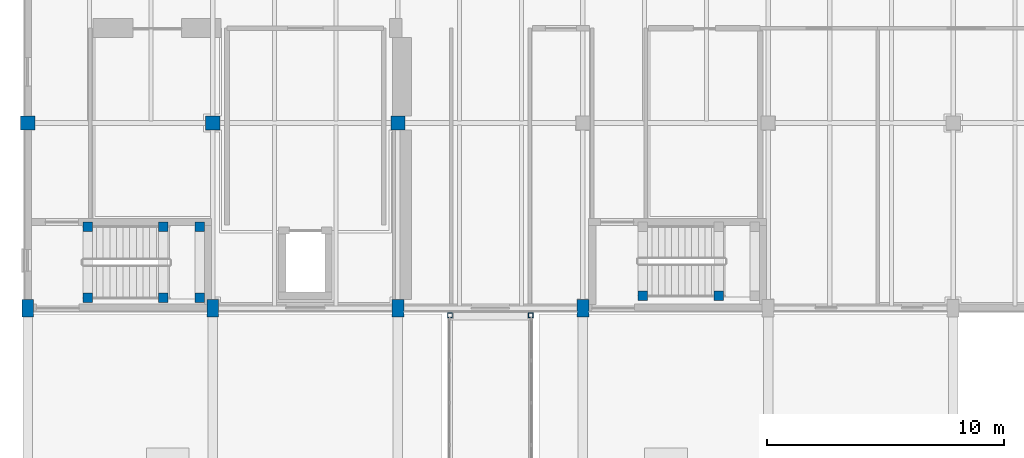
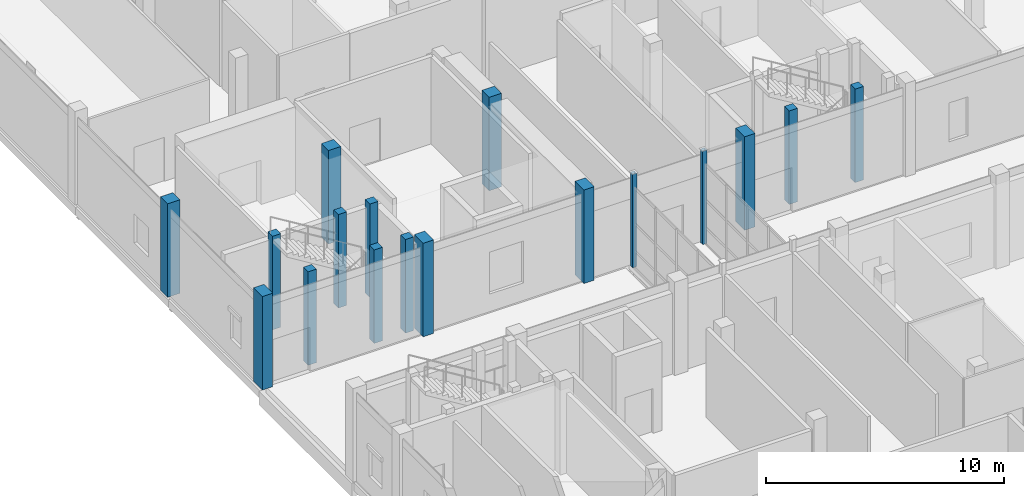
# One storey, part 4 of 131: 17 columns.
"""IFC4 building model written with IfcOpenShell, lengths in metres."""

from ifc_helpers import new_model, si_unit, direction, frame, origin, origin_2d, place, context, subcontext, project, spatial, rectangle, hollow_rectangle, extrude, material, material_profile, profile_set, type_object, element, save


model = new_model("IFC4")

# Units and contexts
model_context = context("Model", 3, precision=1e-05, world=origin(), true_north=direction((0.0, 1.0)))
body_context = subcontext(model_context, "Body", "Model", "MODEL_VIEW")
ifc_project = project(units=[si_unit("LENGTHUNIT", "METRE"), si_unit("AREAUNIT", "SQUARE_METRE"), si_unit("VOLUMEUNIT", "CUBIC_METRE"), si_unit("PLANEANGLEUNIT", "RADIAN"), si_unit("MASSUNIT", "GRAM", prefix="KILO")], contexts=[model_context])

# Site, building, storey
site_placement = place(None, origin())
site = spatial("IfcSite", under=ifc_project, at=site_placement, CompositionType="ELEMENT")
building_placement = place(site_placement, origin())
building = spatial("IfcBuilding", under=site, at=building_placement, Name="Celorna Specialist Clinic", CompositionType="ELEMENT")
storey_placement = place(building_placement, origin())
storey = spatial("IfcBuildingStorey", under=building, at=storey_placement, Name="L00", CompositionType="ELEMENT", Elevation=0.0)

# Columns
ifc_material_1 = material(Name="Concrete C40/50", Category="concrete")
ifc_material_profile_1 = material_profile(ifc_material_1, rectangle(XDim=0.60009765625, YDim=0.60009765625, at=origin_2d()), Name="RC 600x600")
ifc_profile_set_1 = profile_set([ifc_material_profile_1], Name="Concrete C40/50")
column_type_1 = type_object("IfcColumnType", Name="CT-04", PredefinedType="COLUMN", material=ifc_profile_set_1)
for number, where, z_axis, x_axis, name in (
    (1, (0.0, 42.89990234375, 0.0), (0.0, 0.0, 1.0), (1.0, 0.0, 0.0), "Column CT-04 L00 X01/YH"),
    (2, (7.800048828125, 42.89990234375, 0.0), (0.0, 0.0, 1.0), (1.0, 0.0, 0.0), "Column CT-04 L00 X02/YH"),
    (3, (15.60009765625, 42.89990234375, 0.0), (0.0, 0.0, 1.0), (1.0, 0.0, 0.0), "Column CT-04 L00 X03/YH"),
):
    element("IfcColumn", number, at=place(storey_placement, frame(where, z_axis=z_axis, x_axis=x_axis)), inside=storey, type_object=column_type_1, Name=name, PredefinedType="COLUMN", context=body_context, shape_type="SweptSolid", body=[
        extrude(rectangle(XDim=0.60009765625, YDim=0.60009765625, at=origin_2d()), origin(), (0.0, 0.0, 1.0), 4.800048828125),
    ])
ifc_material_2 = material(Name="Concrete C35/45", Category="concrete")
ifc_material_profile_2 = material_profile(ifc_material_2, rectangle(XDim=0.39990234375, YDim=0.39990234375, at=origin_2d()), Name="RC 400x400")
ifc_profile_set_2 = profile_set([ifc_material_profile_2], Name="Concrete C35/45")
column_type_2 = type_object("IfcColumnType", Name="CT-08", PredefinedType="COLUMN", material=ifc_profile_set_2)
for number, where, z_axis, x_axis, name in (
    (4, (2.52001953125, 35.530029296875, 0.0), (0.0, 0.0, 1.0), (1.0, 0.0, 0.0), "Stair ST-06 landing column CT-08 L00 X01/YG"),
    (5, (2.52001953125, 38.530029296875, 0.0), (0.0, 0.0, 1.0), (1.0, 0.0, 0.0), "Stair ST-06 landing column CT-08 L00 X01/YG"),
    (6, (5.719970703125, 35.530029296875, 0.0), (0.0, 0.0, 1.0), (1.0, 0.0, 0.0), "Stair ST-06 landing column CT-08 L00 X02/YG"),
    (7, (5.719970703125, 38.530029296875, 0.0), (0.0, 0.0, 1.0), (1.0, 0.0, 0.0), "Stair ST-06 landing column CT-08 L00 X02/YG"),
    (8, (7.239990234375, 35.530029296875, 0.0), (0.0, 0.0, 1.0), (1.0, 0.0, 0.0), "Stair ST-06 landing column CT-08 L00 X02/YG"),
    (9, (7.239990234375, 38.530029296875, 0.0), (0.0, 0.0, 1.0), (1.0, 0.0, 0.0), "Stair ST-06 landing column CT-08 L00 X02/YG"),
    (10, (25.919921875, 35.6298828125, 0.0), (0.0, 0.0, 1.0), (1.0, 0.0, 0.0), "Stair ST-07 landing column CT-08 L00 X04/YG"),
    (11, (29.1201171875, 35.6298828125, 0.0), (0.0, 0.0, 1.0), (1.0, 0.0, 0.0), "Stair ST-07 landing column CT-08 L00 X05/YG"),
):
    element("IfcColumn", number, at=place(storey_placement, frame(where, z_axis=z_axis, x_axis=x_axis)), inside=storey, type_object=column_type_2, Name=name, PredefinedType="COLUMN", context=body_context, shape_type="SweptSolid", body=[
        extrude(rectangle(XDim=0.39990234375, YDim=0.39990234375, at=origin_2d()), origin(), (0.0, 0.0, 1.0), 4.800048828125),
    ])
ifc_material_profile_3 = material_profile(ifc_material_1, rectangle(XDim=0.5, YDim=0.75, at=origin_2d()), Name="RC 500x750")
ifc_profile_set_3 = profile_set([ifc_material_profile_3], Name="Concrete C40/50")
column_type_3 = type_object("IfcColumnType", Name="CT-09", PredefinedType="COLUMN", material=ifc_profile_set_3)
for number, where, z_axis, x_axis, name in (
    (12, (0.0, 35.10009765625, 0.0), (0.0, 0.0, 1.0), (1.0, 0.0, 0.0), "Column CT-09 L00 X01/YG"),
    (13, (7.800048828125, 35.10009765625, 0.0), (0.0, 0.0, 1.0), (1.0, 0.0, 0.0), "Column CT-09 L00 X02/YG"),
    (14, (15.60009765625, 35.10009765625, 0.0), (0.0, 0.0, 1.0), (1.0, 0.0, 0.0), "Column CT-09 L00 X03/YG"),
    (15, (23.39990234375, 35.10009765625, 0.0), (0.0, 0.0, 1.0), (1.0, 0.0, 0.0), "Column CT-09 L00 X04/YG"),
):
    element("IfcColumn", number, at=place(storey_placement, frame(where, z_axis=z_axis, x_axis=x_axis)), inside=storey, type_object=column_type_3, Name=name, PredefinedType="COLUMN", context=body_context, shape_type="SweptSolid", body=[
        extrude(rectangle(XDim=0.5, YDim=0.75, at=origin_2d()), origin(), (0.0, 0.0, 1.0), 4.800048828125),
    ])
ifc_material_3 = material(Name="Steel S355", Category="steel")
ifc_material_profile_4 = material_profile(ifc_material_3, hollow_rectangle(XDim=0.199951171875, YDim=0.199951171875, WallThickness=0.010009765625, at=origin_2d()), Name="SHS 200x200x10")
ifc_profile_set_4 = profile_set([ifc_material_profile_4], Name="Steel S355")
column_type_4 = type_object("IfcColumnType", Name="CT-15", PredefinedType="COLUMN", material=ifc_profile_set_4)
for number, where, z_axis, x_axis, name in (
    (16, (17.800048828125, 34.800048828125, 0.0), (0.0, 0.0, 1.0), (1.0, 0.0, 0.0), "Column CT-15 L00 X03/YG"),
    (17, (21.199951171875, 34.800048828125, 0.0), (0.0, 0.0, 1.0), (1.0, 0.0, 0.0), "Column CT-15 L00 X04/YG"),
):
    element("IfcColumn", number, at=place(storey_placement, frame(where, z_axis=z_axis, x_axis=x_axis)), inside=storey, type_object=column_type_4, Name=name, PredefinedType="COLUMN", context=body_context, shape_type="SweptSolid", body=[
        extrude(hollow_rectangle(XDim=0.199951171875, YDim=0.199951171875, WallThickness=0.010009765625, at=origin_2d()), origin(), (0.0, 0.0, 1.0), 4.800048828125),
    ])

save(model, "model.ifc")
